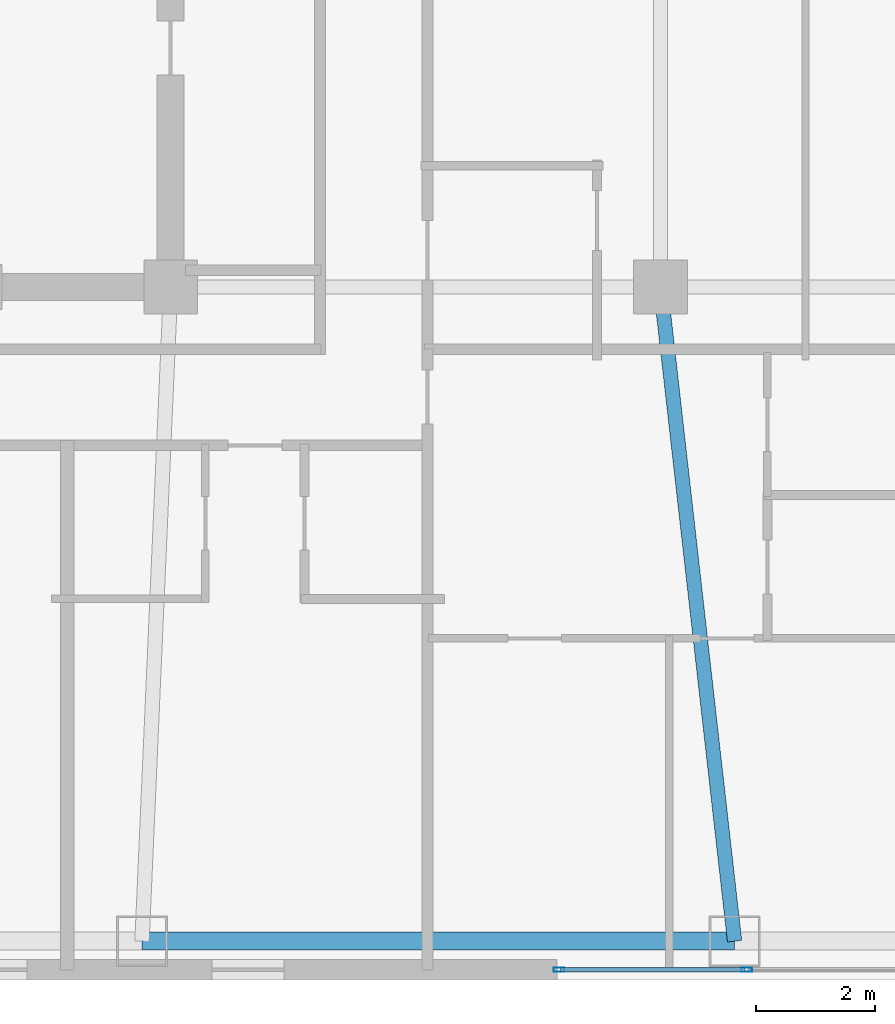
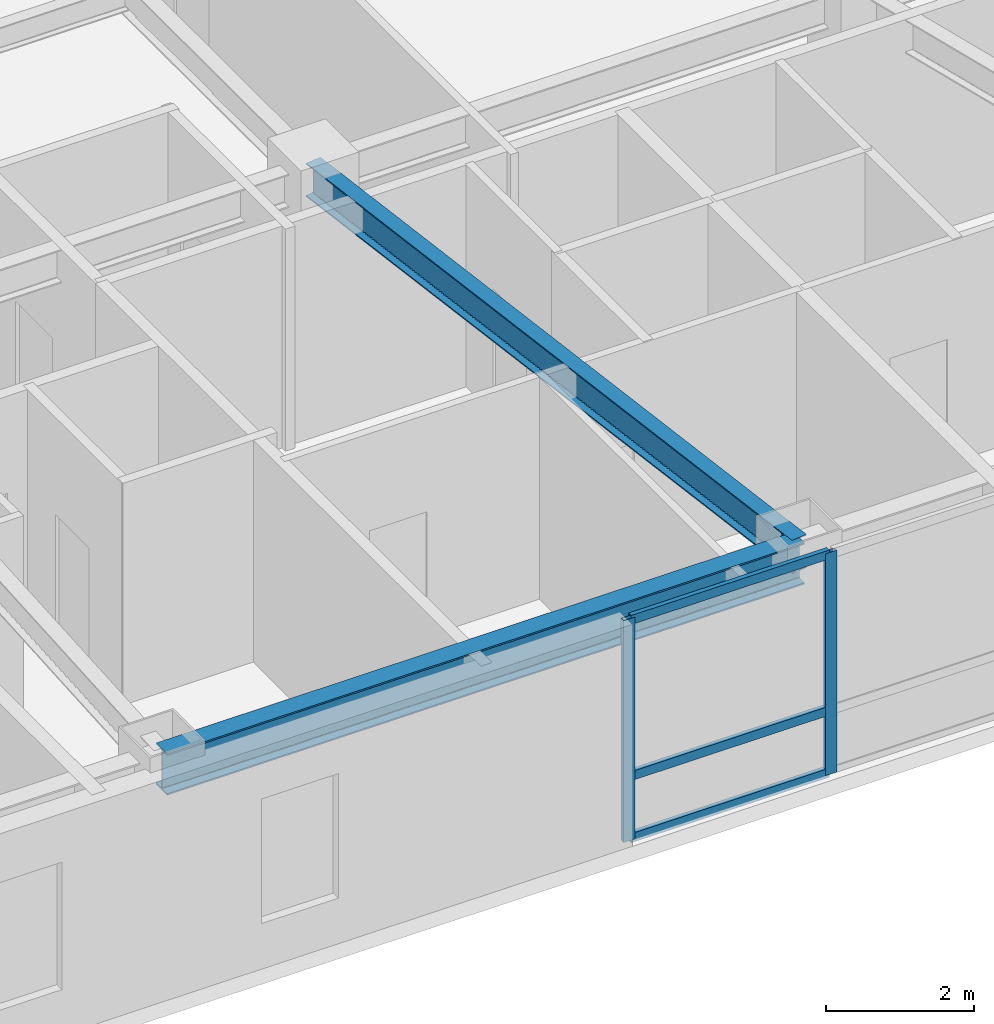
# One storey, part 3 of 29: 5 members, 2 beams, 1 element without a shape of its own.
"""IFC4 building model written with IfcOpenShell, lengths in metres."""

import ifcopenshell
import ifcopenshell.guid

model = None  # the IFC model being written
_history = None  # IfcOwnerHistory: only IFC2X3 demands one
_inside = {}  # id of a spatial element -> (the spatial element, [elements in it])
_under = {}  # id of a project, library or spatial element -> (it, [spatial elements below it])
_declared = {}  # id of a project -> (the project, [libraries it declares])
_typed = {}  # id of a type object -> (the type object, [elements of that type])
_made_of = {}  # id of a material, layer set ... -> (it, [elements and type objects made of it])


def new_model(schema):
    """Start an empty IFC model of exactly this schema.

    Asked for "IFC4X3", IfcOpenShell would pick the latest addendum, in which some entities
    have other attributes; the version numbers below select the first issue.
    IFC2X3 requires an IfcOwnerHistory on every rooted entity: one is made here for all.
    """
    global model, _history
    if schema == "IFC4X3":
        model = ifcopenshell.file(schema_version=(4, 3, 0, 0))
    else:
        model = ifcopenshell.file(schema=schema)
    _inside.clear()
    _under.clear()
    _declared.clear()
    _typed.clear()
    _made_of.clear()
    _history = None
    if model.schema == "IFC2X3":
        org = make("IfcOrganization", Name="unknown")
        user = make(
            "IfcPersonAndOrganization",
            ThePerson=make("IfcPerson", FamilyName="unknown"),
            TheOrganization=org,
        )
        app = make(
            "IfcApplication",
            ApplicationDeveloper=org,
            Version="unknown",
            ApplicationFullName="unknown",
            ApplicationIdentifier="unknown",
        )
        _history = make(
            "IfcOwnerHistory",
            OwningUser=user,
            OwningApplication=app,
            ChangeAction="ADDED",
            CreationDate=0,
        )
    return model


def make(cls, **values):
    """One entity of the class cls with the attributes given. An attribute that is None is left unset."""
    return model.create_entity(
        cls, **{name: value for name, value in values.items() if value is not None}
    )


def rooted(cls, **values):
    """An entity with a GlobalId (a new one), such as an element, a storey or a relation."""
    return make(cls, GlobalId=ifcopenshell.guid.new(), OwnerHistory=_history, **values)


def si_unit(unit_type, name, prefix=None):
    """IfcSIUnit, for example si_unit("LENGTHUNIT", "METRE", prefix="MILLI")."""
    return make("IfcSIUnit", UnitType=unit_type, Prefix=prefix, Name=name)


def assignment(units):
    """IfcUnitAssignment: the units of a project."""
    return None if units is None else make("IfcUnitAssignment", Units=units)


def point(xyz):
    """IfcCartesianPoint."""
    return None if xyz is None else make("IfcCartesianPoint", Coordinates=xyz)


def direction(xyz):
    """IfcDirection."""
    return None if xyz is None else make("IfcDirection", DirectionRatios=xyz)


def frame(location, z_axis=None, x_axis=None):
    """IfcAxis2Placement3D, a coordinate frame: its origin and axes. An axis left out is left unset."""
    return make(
        "IfcAxis2Placement3D",
        Location=point(location),
        Axis=direction(z_axis),
        RefDirection=direction(x_axis),
    )


def frame_2d(location, x_axis=None):
    """IfcAxis2Placement2D, a coordinate frame in the plane: its origin and x axis."""
    return make(
        "IfcAxis2Placement2D", Location=point(location), RefDirection=direction(x_axis)
    )


def origin():
    """The frame at (0, 0, 0) with its axes left unset."""
    return frame((0.0, 0.0, 0.0))


def origin_2d():
    """The frame at (0, 0) in the plane with its x axis left unset."""
    return frame_2d((0.0, 0.0))


def place(relative_to, where):
    """IfcLocalPlacement: puts the frame where relative to a parent placement (None: the world)."""
    return make(
        "IfcLocalPlacement", PlacementRelTo=relative_to, RelativePlacement=where
    )


def context(
    kind, dimensions, precision=None, world=None, true_north=None, identifier=None
):
    """IfcGeometricRepresentationContext, for example the 3D "Model" context."""
    return make(
        "IfcGeometricRepresentationContext",
        ContextIdentifier=identifier,
        ContextType=kind,
        CoordinateSpaceDimension=dimensions,
        Precision=precision,
        WorldCoordinateSystem=world,
        TrueNorth=true_north,
    )


def subcontext(parent, identifier, kind, view, scale=None):
    """IfcGeometricRepresentationSubContext, for example "Body" below "Model"."""
    return make(
        "IfcGeometricRepresentationSubContext",
        ContextIdentifier=identifier,
        ContextType=kind,
        ParentContext=parent,
        TargetScale=scale,
        TargetView=view,
    )


def project(units=None, contexts=None):
    """IfcProject with its units and contexts."""
    return rooted(
        "IfcProject",
        Name="project",
        RepresentationContexts=contexts,
        UnitsInContext=assignment(units),
    )


def spatial(cls, under=None, at=None, **own):
    """A site, building, storey or space (cls), placed at a placement, below another one or the project."""
    s = rooted(cls, ObjectPlacement=at, **own)
    if under is not None:
        _under.setdefault(under.id(), (under, []))[1].append(s)
    return s


def profile(cls, at=None, kind="AREA", **sizes):
    """A parametric profile (cls). Its sizes go by their IFC names, for example OverallWidth=200.0."""
    return make(cls, ProfileType=kind, Position=at, **sizes)


def hollow_rectangle(**sizes):
    """IfcRectangleHollowProfileDef."""
    return profile("IfcRectangleHollowProfileDef", **sizes)


def i_section(**sizes):
    """IfcIShapeProfileDef."""
    return profile("IfcIShapeProfileDef", **sizes)


def extrude(swept, where, along, depth):
    """IfcExtrudedAreaSolid: the profile swept, set in the frame where, extruded along a direction by depth."""
    return make(
        "IfcExtrudedAreaSolid",
        SweptArea=swept,
        Position=where,
        ExtrudedDirection=direction(along),
        Depth=depth,
    )


def shape(context_of_items, identifier, shape_type, items):
    """IfcShapeRepresentation: the items that make up one representation, for example the "Body"."""
    return make(
        "IfcShapeRepresentation",
        ContextOfItems=context_of_items,
        RepresentationIdentifier=identifier,
        RepresentationType=shape_type,
        Items=items,
    )


def material(Name=None, Category=None):
    """IfcMaterial."""
    return make("IfcMaterial", Name=Name, Category=Category)


def layer(
    of_material, thickness, ventilated=None, Name=None, Category=None, Priority=None
):
    """IfcMaterialLayer: one layer of a wall or slab, of a material (None: an air gap)."""
    return make(
        "IfcMaterialLayer",
        Material=of_material,
        LayerThickness=thickness,
        IsVentilated=ventilated,
        Name=Name,
        Category=Category,
        Priority=Priority,
    )


def layer_set(layers, Name=None):
    """IfcMaterialLayerSet."""
    return make("IfcMaterialLayerSet", MaterialLayers=layers, LayerSetName=Name)


def material_profile(
    of_material, cross_section, Name=None, Category=None, Priority=None
):
    """IfcMaterialProfile: a cross section and its material."""
    return make(
        "IfcMaterialProfile",
        Name=Name,
        Material=of_material,
        Profile=cross_section,
        Priority=Priority,
        Category=Category,
    )


def profile_set(profiles, Name=None, composite=None):
    """IfcMaterialProfileSet."""
    return make(
        "IfcMaterialProfileSet",
        Name=Name,
        MaterialProfiles=profiles,
        CompositeProfile=composite,
    )


def made_of(thing, what):
    """Note that an element or type object is made of a material, layer set ...; save() writes the relation."""
    if what is not None:
        _made_of.setdefault(what.id(), (what, []))[1].append(thing)
    return thing


def type_object(cls, material=None, **own):
    """A type object (cls), such as IfcWallType, which elements share."""
    return made_of(rooted(cls, **own), material)


def element(
    cls,
    number,
    at=None,
    inside=None,
    cuts=None,
    type_object=None,
    material=None,
    context=None,
    identifier="Body",
    shape_type=None,
    held_by="IfcProductDefinitionShape",
    body=None,
    shapes=None,
    **own,
):
    """One element of the class cls, such as IfcWall. Its Tag is "e" and its number.

    at: its placement. inside: the storey or other place that contains it. cuts: it is an
    opening in that element (IfcRelVoidsElement). A single representation is given by context,
    identifier, shape_type and body (its items); several are given by shapes. held_by: the class
    of the entity that holds the representations. save() writes the other relations.
    """
    e = rooted(cls, Tag="e%d" % number, ObjectPlacement=at, **own)
    if body is not None:
        shapes = [shape(context, identifier, shape_type, body)]
    if shapes is not None:
        e.Representation = make(held_by, Representations=shapes)
    if inside is not None:
        _inside.setdefault(inside.id(), (inside, []))[1].append(e)
    if cuts is not None:
        rooted(
            "IfcRelVoidsElement", RelatingBuildingElement=cuts, RelatedOpeningElement=e
        )
    if type_object is not None:
        _typed.setdefault(type_object.id(), (type_object, []))[1].append(e)
    return made_of(e, material)


def aggregate(whole, parts):
    """IfcRelAggregates: a whole, such as a stair, and the parts it consists of."""
    return rooted("IfcRelAggregates", RelatingObject=whole, RelatedObjects=parts)


def save(model, path):
    """Write the relations noted so far, then the file.

    IfcRelAggregates (storeys below a building ...), IfcRelContainedInSpatialStructure (elements
    in a storey), IfcRelDefinesByType, IfcRelAssociatesMaterial and IfcRelDeclares: one each for
    every whole, place, type object, material and project.
    """
    for whole, parts in _under.values():
        aggregate(whole, parts)
    for where, things in _inside.values():
        rooted(
            "IfcRelContainedInSpatialStructure",
            RelatedElements=things,
            RelatingStructure=where,
        )
    for kind, things in _typed.values():
        rooted("IfcRelDefinesByType", RelatedObjects=things, RelatingType=kind)
    for what, things in _made_of.values():
        rooted("IfcRelAssociatesMaterial", RelatedObjects=things, RelatingMaterial=what)
    for by, libraries in _declared.values():
        rooted("IfcRelDeclares", RelatingContext=by, RelatedDefinitions=libraries)
    model.write(path)


model = new_model("IFC4")

# Units and contexts
model_context = context("Model", 3, precision=1e-05, world=origin(), true_north=direction((0.0, 1.0)))
body_context = subcontext(model_context, "Body", "Model", "MODEL_VIEW")
ifc_project = project(units=[si_unit("LENGTHUNIT", "METRE"), si_unit("AREAUNIT", "SQUARE_METRE"), si_unit("VOLUMEUNIT", "CUBIC_METRE"), si_unit("PLANEANGLEUNIT", "RADIAN"), si_unit("MASSUNIT", "GRAM", prefix="KILO")], contexts=[model_context])

# Site, building, storey
site_placement = place(None, origin())
site = spatial("IfcSite", under=ifc_project, at=site_placement, CompositionType="ELEMENT")
building_placement = place(site_placement, origin())
building = spatial("IfcBuilding", under=site, at=building_placement, Name="Voryun Gate Residences", CompositionType="ELEMENT")
storey_placement = place(building_placement, frame((0.0, 0.0, 211.89990234375)))
storey = spatial("IfcBuildingStorey", under=building, at=storey_placement, Name="L52", CompositionType="ELEMENT", Elevation=211.89990234375)

# Beams
ifc_material_1 = material(Name="Steel SM355", Category="steel")
ifc_material_profile_1 = material_profile(ifc_material_1, i_section(OverallWidth=0.300048828125, OverallDepth=0.679931640625, WebThickness=0.013916015625, FlangeThickness=0.02490234375, FilletRadius=0.01806640625, at=origin_2d()), Name="H-680x300x14x25")
ifc_profile_set_1 = profile_set([ifc_material_profile_1], Name="Steel SM355")
beam_type_1 = type_object("IfcBeamType", Name="BM_EXO_SPANDREL_M", PredefinedType="SPANDREL", material=ifc_profile_set_1)
beam_1_placement = place(storey_placement, frame((-12.8798828125, -18.35009765625, 3.31005859375), z_axis=(1.0, 0.0, 0.0), x_axis=(0.0, 1.0, 0.0)))
element("IfcBeam", 1, at=beam_1_placement, inside=storey, type_object=beam_type_1, Name="BM-L52-SPAND-02", PredefinedType="SPANDREL", context=body_context, shape_type="SweptSolid", body=[
    extrude(i_section(OverallWidth=0.300048828125, OverallDepth=0.679931640625, WebThickness=0.013916015625, FlangeThickness=0.02490234375, FilletRadius=0.01806640625, at=origin_2d()), origin(), (0.0, 0.0, 1.0), 9.919921875),
])
ifc_material_2 = material(Name="Steel SM355", Category="steel")
ifc_material_profile_2 = material_profile(ifc_material_2, i_section(OverallWidth=0.239990234375, OverallDepth=0.550048828125, WebThickness=0.011962890625, FlangeThickness=0.02001953125, FilletRadius=0.01806640625, at=origin_2d()), Name="H-550x240x12x20")
ifc_profile_set_2 = profile_set([ifc_material_profile_2], Name="Steel SM355")
beam_type_2 = type_object("IfcBeamType", Name="BM_GIRD_550", PredefinedType="USERDEFINED", material=ifc_profile_set_2)
beam_2_placement = place(storey_placement, frame((-4.199951171875, -7.39990234375, 3.375), z_axis=(0.112519968476, -0.993649463691, 0.0), x_axis=(0.993649463691, 0.112519968476, 0.0)))
element("IfcBeam", 2, at=beam_2_placement, inside=storey, type_object=beam_type_2, Name="BM-L52-RAD-S3", ObjectType="GIRDER", PredefinedType="USERDEFINED", context=body_context, shape_type="SweptSolid", body=[
    extrude(i_section(OverallWidth=0.239990234375, OverallDepth=0.550048828125, WebThickness=0.011962890625, FlangeThickness=0.02001953125, FilletRadius=0.01806640625, at=origin_2d()), origin(), (0.0, 0.0, 1.0), 11.020263671875),
])

# Curtain wall, members
ifc_material_3 = material(Name="Anodised aluminium", Category="aluminium")
ifc_layer = layer(ifc_material_3, 0.18994140625, Name="CW_SYS_RES_B_DARK_GLASS")
ifc_layer_set = layer_set([ifc_layer], Name="Anodised aluminium")
curtain_wall_type = type_object("IfcCurtainWallType", Name="CW_SYS_RES_B_DARK_GLASS", PredefinedType="NOTDEFINED", material=ifc_layer_set)
curtain_wall_placement = place(storey_placement, origin())
curtain_wall = element("IfcCurtainWall", 3, at=curtain_wall_placement, inside=storey, type_object=curtain_wall_type, Name="Curtain wall CWT-L52-01", PredefinedType="NOTDEFINED")
ifc_material_4 = material(Name="Anodised aluminium", Category="aluminium")
ifc_material_profile_3 = material_profile(ifc_material_4, hollow_rectangle(XDim=0.070068359375, YDim=0.179931640625, WallThickness=0.00390625, at=origin_2d()), Name="ALU-MULL-180x70x4")
ifc_profile_set_3 = profile_set([ifc_material_profile_3], Name="Anodised aluminium")
member_type_1 = type_object("IfcMemberType", Name="CW_MULL_RES", PredefinedType="MULLION", material=ifc_profile_set_3)
member_1_placement = place(storey_placement, frame((-2.75830078125, -18.830078125, 0.0), z_axis=(0.0, 0.0, 1.0), x_axis=(0.0, -1.0, 0.0)))
member_1 = element("IfcMember", 4, at=member_1_placement, type_object=member_type_1, Name="CW4 mullion 5", PredefinedType="MULLION", context=body_context, shape_type="SweptSolid", body=[
    extrude(hollow_rectangle(XDim=0.070068359375, YDim=0.179931640625, WallThickness=0.00390625, at=origin_2d()), origin(), (0.0, 0.0, 1.0), 3.650146484375),
])
member_2_placement = place(storey_placement, frame((-5.900634765625, -18.830078125, 0.0), z_axis=(0.0, 0.0, 1.0), x_axis=(0.0, -1.0, 0.0)))
member_2 = element("IfcMember", 5, at=member_2_placement, type_object=member_type_1, Name="CW4 mullion 6", PredefinedType="MULLION", context=body_context, shape_type="SweptSolid", body=[
    extrude(hollow_rectangle(XDim=0.070068359375, YDim=0.179931640625, WallThickness=0.00390625, at=origin_2d()), origin(), (0.0, 0.0, 1.0), 3.650146484375),
])
ifc_material_5 = material(Name="Anodised aluminium", Category="aluminium")
ifc_material_profile_4 = material_profile(ifc_material_5, hollow_rectangle(XDim=0.070068359375, YDim=0.14990234375, WallThickness=0.00390625, at=origin_2d()), Name="ALU-TRAN-150x70x4")
ifc_profile_set_4 = profile_set([ifc_material_profile_4], Name="Anodised aluminium")
member_type_2 = type_object("IfcMemberType", Name="CW_TRAN_RES", PredefinedType="USERDEFINED", material=ifc_profile_set_4)
member_3_placement = place(storey_placement, frame((-2.788330078125, -18.830078125, 0.030029296875), z_axis=(-1.0, 0.0, 0.0), x_axis=(0.0, -1.0, 0.0)))
member_3 = element("IfcMember", 6, at=member_3_placement, type_object=member_type_2, Name="CW4 transom 5.1", ObjectType="TRANSOM", PredefinedType="USERDEFINED", context=body_context, shape_type="SweptSolid", body=[
    extrude(hollow_rectangle(XDim=0.070068359375, YDim=0.14990234375, WallThickness=0.00390625, at=origin_2d()), origin(), (0.0, 0.0, 1.0), 3.082275390625),
])
member_4_placement = place(storey_placement, frame((-2.788330078125, -18.830078125, 1.050048828125), z_axis=(-1.0, 0.0, 0.0), x_axis=(0.0, -1.0, 0.0)))
member_4 = element("IfcMember", 7, at=member_4_placement, type_object=member_type_2, Name="CW4 transom 5.2", ObjectType="TRANSOM", PredefinedType="USERDEFINED", context=body_context, shape_type="SweptSolid", body=[
    extrude(hollow_rectangle(XDim=0.070068359375, YDim=0.14990234375, WallThickness=0.00390625, at=origin_2d()), origin(), (0.0, 0.0, 1.0), 3.082275390625),
])
member_5_placement = place(storey_placement, frame((-2.788330078125, -18.830078125, 3.6201171875), z_axis=(-1.0, 0.0, 0.0), x_axis=(0.0, -1.0, 0.0)))
member_5 = element("IfcMember", 8, at=member_5_placement, type_object=member_type_2, Name="CW4 transom 5.3", ObjectType="TRANSOM", PredefinedType="USERDEFINED", context=body_context, shape_type="SweptSolid", body=[
    extrude(hollow_rectangle(XDim=0.070068359375, YDim=0.14990234375, WallThickness=0.00390625, at=origin_2d()), origin(), (0.0, 0.0, 1.0), 3.082275390625),
])
aggregate(curtain_wall, [member_1, member_2, member_3, member_4, member_5])

save(model, "model.ifc")
